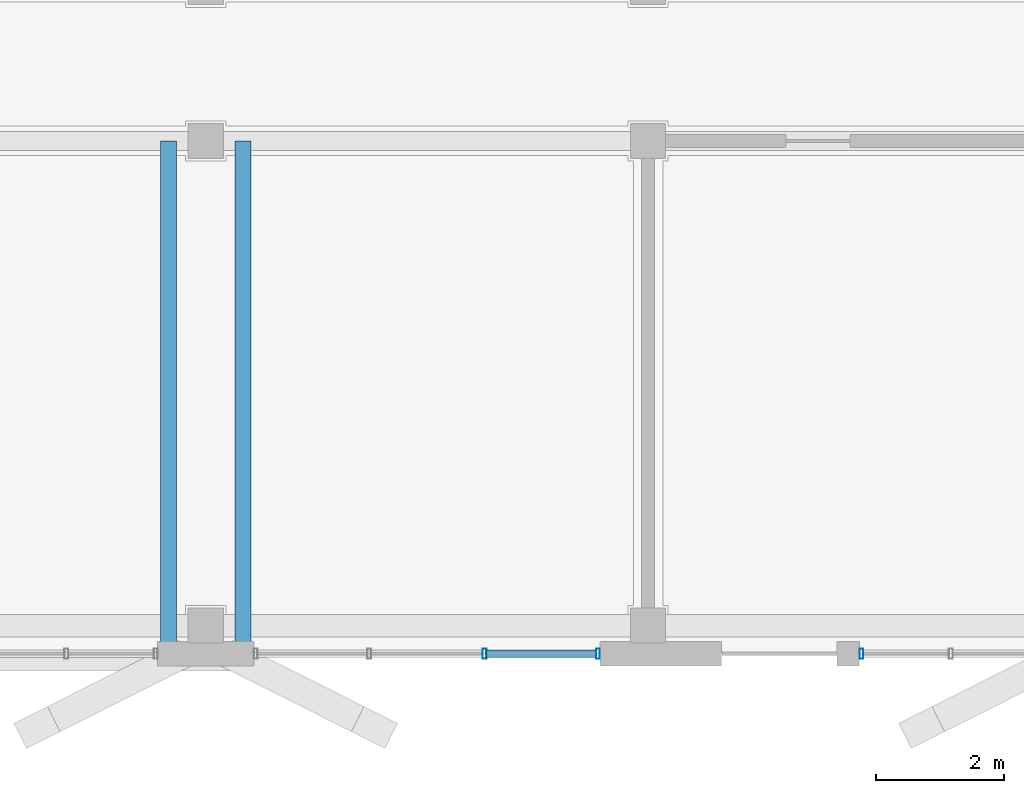
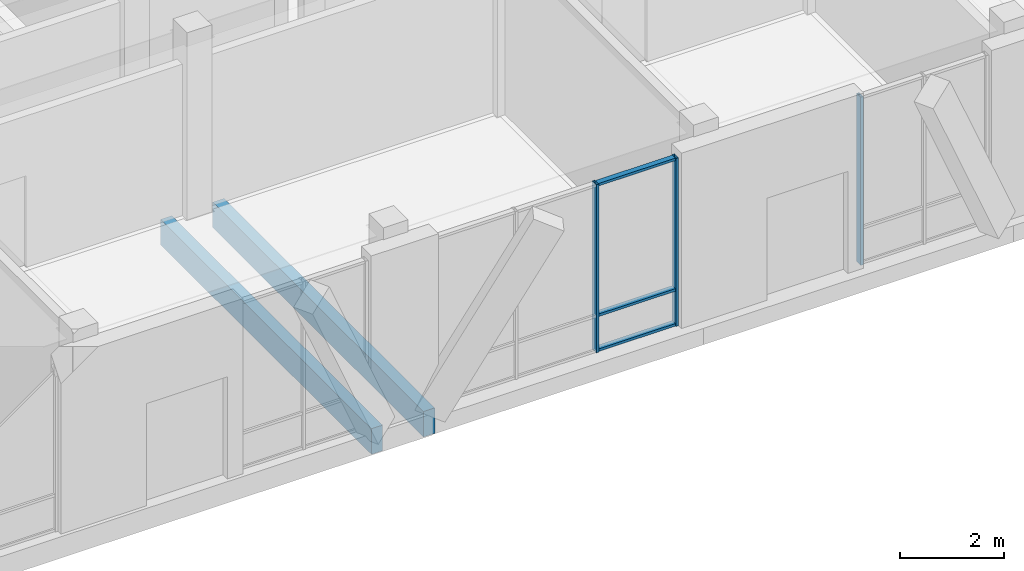
# One storey, part 139 of 233: 6 members, 2 beams, 2 elements without a shape of their own.
"""IFC4 building model written with IfcOpenShell, lengths in metres."""

import ifcopenshell
import ifcopenshell.guid

model = None  # the IFC model being written
_history = None  # IfcOwnerHistory: only IFC2X3 demands one
_inside = {}  # id of a spatial element -> (the spatial element, [elements in it])
_under = {}  # id of a project, library or spatial element -> (it, [spatial elements below it])
_declared = {}  # id of a project -> (the project, [libraries it declares])
_typed = {}  # id of a type object -> (the type object, [elements of that type])
_made_of = {}  # id of a material, layer set ... -> (it, [elements and type objects made of it])


def new_model(schema):
    """Start an empty IFC model of exactly this schema.

    Asked for "IFC4X3", IfcOpenShell would pick the latest addendum, in which some entities
    have other attributes; the version numbers below select the first issue.
    IFC2X3 requires an IfcOwnerHistory on every rooted entity: one is made here for all.
    """
    global model, _history
    if schema == "IFC4X3":
        model = ifcopenshell.file(schema_version=(4, 3, 0, 0))
    else:
        model = ifcopenshell.file(schema=schema)
    _inside.clear()
    _under.clear()
    _declared.clear()
    _typed.clear()
    _made_of.clear()
    _history = None
    if model.schema == "IFC2X3":
        org = make("IfcOrganization", Name="unknown")
        user = make(
            "IfcPersonAndOrganization",
            ThePerson=make("IfcPerson", FamilyName="unknown"),
            TheOrganization=org,
        )
        app = make(
            "IfcApplication",
            ApplicationDeveloper=org,
            Version="unknown",
            ApplicationFullName="unknown",
            ApplicationIdentifier="unknown",
        )
        _history = make(
            "IfcOwnerHistory",
            OwningUser=user,
            OwningApplication=app,
            ChangeAction="ADDED",
            CreationDate=0,
        )
    return model


def make(cls, **values):
    """One entity of the class cls with the attributes given. An attribute that is None is left unset."""
    return model.create_entity(
        cls, **{name: value for name, value in values.items() if value is not None}
    )


def rooted(cls, **values):
    """An entity with a GlobalId (a new one), such as an element, a storey or a relation."""
    return make(cls, GlobalId=ifcopenshell.guid.new(), OwnerHistory=_history, **values)


def si_unit(unit_type, name, prefix=None):
    """IfcSIUnit, for example si_unit("LENGTHUNIT", "METRE", prefix="MILLI")."""
    return make("IfcSIUnit", UnitType=unit_type, Prefix=prefix, Name=name)


def assignment(units):
    """IfcUnitAssignment: the units of a project."""
    return None if units is None else make("IfcUnitAssignment", Units=units)


def point(xyz):
    """IfcCartesianPoint."""
    return None if xyz is None else make("IfcCartesianPoint", Coordinates=xyz)


def direction(xyz):
    """IfcDirection."""
    return None if xyz is None else make("IfcDirection", DirectionRatios=xyz)


def frame(location, z_axis=None, x_axis=None):
    """IfcAxis2Placement3D, a coordinate frame: its origin and axes. An axis left out is left unset."""
    return make(
        "IfcAxis2Placement3D",
        Location=point(location),
        Axis=direction(z_axis),
        RefDirection=direction(x_axis),
    )


def frame_2d(location, x_axis=None):
    """IfcAxis2Placement2D, a coordinate frame in the plane: its origin and x axis."""
    return make(
        "IfcAxis2Placement2D", Location=point(location), RefDirection=direction(x_axis)
    )


def origin():
    """The frame at (0, 0, 0) with its axes left unset."""
    return frame((0.0, 0.0, 0.0))


def origin_2d():
    """The frame at (0, 0) in the plane with its x axis left unset."""
    return frame_2d((0.0, 0.0))


def place(relative_to, where):
    """IfcLocalPlacement: puts the frame where relative to a parent placement (None: the world)."""
    return make(
        "IfcLocalPlacement", PlacementRelTo=relative_to, RelativePlacement=where
    )


def context(
    kind, dimensions, precision=None, world=None, true_north=None, identifier=None
):
    """IfcGeometricRepresentationContext, for example the 3D "Model" context."""
    return make(
        "IfcGeometricRepresentationContext",
        ContextIdentifier=identifier,
        ContextType=kind,
        CoordinateSpaceDimension=dimensions,
        Precision=precision,
        WorldCoordinateSystem=world,
        TrueNorth=true_north,
    )


def subcontext(parent, identifier, kind, view, scale=None):
    """IfcGeometricRepresentationSubContext, for example "Body" below "Model"."""
    return make(
        "IfcGeometricRepresentationSubContext",
        ContextIdentifier=identifier,
        ContextType=kind,
        ParentContext=parent,
        TargetScale=scale,
        TargetView=view,
    )


def project(units=None, contexts=None):
    """IfcProject with its units and contexts."""
    return rooted(
        "IfcProject",
        Name="project",
        RepresentationContexts=contexts,
        UnitsInContext=assignment(units),
    )


def spatial(cls, under=None, at=None, **own):
    """A site, building, storey or space (cls), placed at a placement, below another one or the project."""
    s = rooted(cls, ObjectPlacement=at, **own)
    if under is not None:
        _under.setdefault(under.id(), (under, []))[1].append(s)
    return s


def profile(cls, at=None, kind="AREA", **sizes):
    """A parametric profile (cls). Its sizes go by their IFC names, for example OverallWidth=200.0."""
    return make(cls, ProfileType=kind, Position=at, **sizes)


def rectangle(**sizes):
    """IfcRectangleProfileDef."""
    return profile("IfcRectangleProfileDef", **sizes)


def hollow_rectangle(**sizes):
    """IfcRectangleHollowProfileDef."""
    return profile("IfcRectangleHollowProfileDef", **sizes)


def extrude(swept, where, along, depth):
    """IfcExtrudedAreaSolid: the profile swept, set in the frame where, extruded along a direction by depth."""
    return make(
        "IfcExtrudedAreaSolid",
        SweptArea=swept,
        Position=where,
        ExtrudedDirection=direction(along),
        Depth=depth,
    )


def shape(context_of_items, identifier, shape_type, items):
    """IfcShapeRepresentation: the items that make up one representation, for example the "Body"."""
    return make(
        "IfcShapeRepresentation",
        ContextOfItems=context_of_items,
        RepresentationIdentifier=identifier,
        RepresentationType=shape_type,
        Items=items,
    )


def material(Name=None, Category=None):
    """IfcMaterial."""
    return make("IfcMaterial", Name=Name, Category=Category)


def material_profile(
    of_material, cross_section, Name=None, Category=None, Priority=None
):
    """IfcMaterialProfile: a cross section and its material."""
    return make(
        "IfcMaterialProfile",
        Name=Name,
        Material=of_material,
        Profile=cross_section,
        Priority=Priority,
        Category=Category,
    )


def profile_set(profiles, Name=None, composite=None):
    """IfcMaterialProfileSet."""
    return make(
        "IfcMaterialProfileSet",
        Name=Name,
        MaterialProfiles=profiles,
        CompositeProfile=composite,
    )


def made_of(thing, what):
    """Note that an element or type object is made of a material, layer set ...; save() writes the relation."""
    if what is not None:
        _made_of.setdefault(what.id(), (what, []))[1].append(thing)
    return thing


def type_object(cls, material=None, **own):
    """A type object (cls), such as IfcWallType, which elements share."""
    return made_of(rooted(cls, **own), material)


def element(
    cls,
    number,
    at=None,
    inside=None,
    cuts=None,
    type_object=None,
    material=None,
    context=None,
    identifier="Body",
    shape_type=None,
    held_by="IfcProductDefinitionShape",
    body=None,
    shapes=None,
    **own,
):
    """One element of the class cls, such as IfcWall. Its Tag is "e" and its number.

    at: its placement. inside: the storey or other place that contains it. cuts: it is an
    opening in that element (IfcRelVoidsElement). A single representation is given by context,
    identifier, shape_type and body (its items); several are given by shapes. held_by: the class
    of the entity that holds the representations. save() writes the other relations.
    """
    e = rooted(cls, Tag="e%d" % number, ObjectPlacement=at, **own)
    if body is not None:
        shapes = [shape(context, identifier, shape_type, body)]
    if shapes is not None:
        e.Representation = make(held_by, Representations=shapes)
    if inside is not None:
        _inside.setdefault(inside.id(), (inside, []))[1].append(e)
    if cuts is not None:
        rooted(
            "IfcRelVoidsElement", RelatingBuildingElement=cuts, RelatedOpeningElement=e
        )
    if type_object is not None:
        _typed.setdefault(type_object.id(), (type_object, []))[1].append(e)
    return made_of(e, material)


def aggregate(whole, parts):
    """IfcRelAggregates: a whole, such as a stair, and the parts it consists of."""
    return rooted("IfcRelAggregates", RelatingObject=whole, RelatedObjects=parts)


def save(model, path):
    """Write the relations noted so far, then the file.

    IfcRelAggregates (storeys below a building ...), IfcRelContainedInSpatialStructure (elements
    in a storey), IfcRelDefinesByType, IfcRelAssociatesMaterial and IfcRelDeclares: one each for
    every whole, place, type object, material and project.
    """
    for whole, parts in _under.values():
        aggregate(whole, parts)
    for where, things in _inside.values():
        rooted(
            "IfcRelContainedInSpatialStructure",
            RelatedElements=things,
            RelatingStructure=where,
        )
    for kind, things in _typed.values():
        rooted("IfcRelDefinesByType", RelatedObjects=things, RelatingType=kind)
    for what, things in _made_of.values():
        rooted("IfcRelAssociatesMaterial", RelatedObjects=things, RelatingMaterial=what)
    for by, libraries in _declared.values():
        rooted("IfcRelDeclares", RelatingContext=by, RelatedDefinitions=libraries)
    model.write(path)


model = new_model("IFC4")

# Units and contexts
model_context = context("Model", 3, precision=1e-05, world=origin(), true_north=direction((0.0, 1.0)))
body_context = subcontext(model_context, "Body", "Model", "MODEL_VIEW")
ifc_project = project(units=[si_unit("LENGTHUNIT", "METRE"), si_unit("AREAUNIT", "SQUARE_METRE"), si_unit("VOLUMEUNIT", "CUBIC_METRE"), si_unit("PLANEANGLEUNIT", "RADIAN"), si_unit("MASSUNIT", "GRAM", prefix="KILO")], contexts=[model_context])

# Site, building, storey
site_placement = place(None, origin())
site = spatial("IfcSite", under=ifc_project, at=site_placement, CompositionType="ELEMENT")
building_placement = place(site_placement, origin())
building = spatial("IfcBuilding", under=site, at=building_placement, Name="Zavelmont Quarter", CompositionType="ELEMENT")
storey_placement = place(building_placement, origin())
storey = spatial("IfcBuildingStorey", under=building, at=storey_placement, Name="L00", CompositionType="ELEMENT", Elevation=0.0)

# Beams
ifc_material_1 = material(Name="Concrete C40/50", Category="concrete")
ifc_material_profile_1 = material_profile(ifc_material_1, rectangle(XDim=0.25, YDim=0.60009765625, at=origin_2d()), Name="RC250X600")
ifc_profile_set_1 = profile_set([ifc_material_profile_1], Name="Concrete C40/50")
beam_type = type_object("IfcBeamType", Name="BM18", PredefinedType="BEAM", material=ifc_profile_set_1)
for number, where, z_axis, x_axis, name in (
    (1, (146.719970703125, 8.0, -0.300048828125), (0.0, -1.0, 0.0), (1.0, 0.0, 0.0), "L00 beam BM18 22/B to 22/A"),
    (2, (147.8798828125, 8.0, -0.300048828125), (0.0, -1.0, 0.0), (1.0, 0.0, 0.0), "L00 beam BM18 22/B to 22/A"),
):
    element("IfcBeam", number, at=place(storey_placement, frame(where, z_axis=z_axis, x_axis=x_axis)), inside=storey, type_object=beam_type, Name=name, PredefinedType="BEAM", context=body_context, shape_type="SweptSolid", body=[
        extrude(rectangle(XDim=0.25, YDim=0.60009765625, at=origin_2d()), origin(), (0.0, 0.0, 1.0), 8.1201171875),
    ])

# Curtain wall, members
ifc_material_2 = material(Name="Thermally broken aluminium and double low-E safety glazing", Category="aluminium")
curtain_wall_type_1 = type_object("IfcCurtainWallType", Name="CW-540X395", PredefinedType="NOTDEFINED", material=ifc_material_2)
curtain_wall_1_placement = place(storey_placement, origin())
curtain_wall_1 = element("IfcCurtainWall", 3, at=curtain_wall_1_placement, inside=storey, type_object=curtain_wall_type_1, Name="L00 unitised curtain wall CW-540X395", PredefinedType="NOTDEFINED")
ifc_material_3 = material(Name="Powder-coated aluminium EN AW-6063-T6", Category="aluminium")
ifc_material_profile_2 = material_profile(ifc_material_3, hollow_rectangle(XDim=0.06005859375, YDim=0.159912109375, WallThickness=0.00390625, at=origin_2d()), Name="CWM60X160")
ifc_profile_set_2 = profile_set([ifc_material_profile_2], Name="Powder-coated aluminium EN AW-6063-T6")
member_type_1 = type_object("IfcMemberType", Name="CWM01", PredefinedType="MULLION", material=ifc_profile_set_2)
member_1_placement = place(storey_placement, frame((151.64990234375, 0.0, 0.0), z_axis=(0.0, 0.0, 1.0), x_axis=(1.0, 0.0, 0.0)))
member_1 = element("IfcMember", 4, at=member_1_placement, type_object=member_type_1, Name="CW-540X395 mullion 3", PredefinedType="MULLION", context=body_context, shape_type="SweptSolid", body=[
    extrude(hollow_rectangle(XDim=0.06005859375, YDim=0.159912109375, WallThickness=0.00390625, at=origin_2d()), origin(), (0.0, 0.0, 1.0), 3.949951171875),
])
member_2_placement = place(storey_placement, frame((153.419921875, 0.0, 0.0), z_axis=(0.0, 0.0, 1.0), x_axis=(1.0, 0.0, 0.0)))
member_2 = element("IfcMember", 5, at=member_2_placement, type_object=member_type_1, Name="CW-540X395 mullion 4", PredefinedType="MULLION", context=body_context, shape_type="SweptSolid", body=[
    extrude(hollow_rectangle(XDim=0.06005859375, YDim=0.159912109375, WallThickness=0.00390625, at=origin_2d()), origin(), (0.0, 0.0, 1.0), 3.949951171875),
])

# Curtain wall, member
curtain_wall_type_2 = type_object("IfcCurtainWallType", Name="CW-285X395", PredefinedType="NOTDEFINED", material=ifc_material_2)
curtain_wall_2_placement = place(storey_placement, origin())
curtain_wall_2 = element("IfcCurtainWall", 6, at=curtain_wall_2_placement, inside=storey, type_object=curtain_wall_type_2, Name="L00 unitised curtain wall CW-285X395", PredefinedType="NOTDEFINED")
member_3_placement = place(storey_placement, frame((157.530029296875, 0.0, 0.0), z_axis=(0.0, 0.0, 1.0), x_axis=(1.0, 0.0, 0.0)))
member_3 = element("IfcMember", 7, at=member_3_placement, type_object=member_type_1, Name="CW-285X395 mullion 1", PredefinedType="MULLION", context=body_context, shape_type="SweptSolid", body=[
    extrude(hollow_rectangle(XDim=0.06005859375, YDim=0.159912109375, WallThickness=0.00390625, at=origin_2d()), origin(), (0.0, 0.0, 1.0), 3.949951171875),
])
aggregate(curtain_wall_2, [member_3])

# Member
ifc_material_profile_3 = material_profile(ifc_material_3, hollow_rectangle(XDim=0.1201171875, YDim=0.06005859375, WallThickness=0.00390625, at=origin_2d()), Name="CWT60X120")
ifc_profile_set_3 = profile_set([ifc_material_profile_3], Name="Powder-coated aluminium EN AW-6063-T6")
member_type_2 = type_object("IfcMemberType", Name="CWT01", PredefinedType="NOTDEFINED", material=ifc_profile_set_3)
member_4_placement = place(storey_placement, frame((151.679931640625, 0.0, 0.030029296875), z_axis=(1.0, 0.0, 0.0), x_axis=(0.0, 1.0, 0.0)))
member_4 = element("IfcMember", 8, at=member_4_placement, type_object=member_type_2, Name="CW-540X395 transom 3.1", ObjectType="TRANSOM", PredefinedType="USERDEFINED", context=body_context, shape_type="SweptSolid", body=[
    extrude(hollow_rectangle(XDim=0.1201171875, YDim=0.06005859375, WallThickness=0.00390625, at=origin_2d()), origin(), (0.0, 0.0, 1.0), 1.7099609375),
])

member_5_placement = place(storey_placement, frame((151.679931640625, 0.0, 0.85009765625), z_axis=(1.0, 0.0, 0.0), x_axis=(0.0, 1.0, 0.0)))
member_5 = element("IfcMember", 9, at=member_5_placement, type_object=member_type_2, Name="CW-540X395 transom 3.2", ObjectType="TRANSOM", PredefinedType="USERDEFINED", context=body_context, shape_type="SweptSolid", body=[
    extrude(hollow_rectangle(XDim=0.1201171875, YDim=0.06005859375, WallThickness=0.00390625, at=origin_2d()), origin(), (0.0, 0.0, 1.0), 1.7099609375),
])

member_6_placement = place(storey_placement, frame((151.679931640625, 0.0, 3.919921875), z_axis=(1.0, 0.0, 0.0), x_axis=(0.0, 1.0, 0.0)))
member_6 = element("IfcMember", 10, at=member_6_placement, type_object=member_type_2, Name="CW-540X395 transom 3.3", ObjectType="TRANSOM", PredefinedType="USERDEFINED", context=body_context, shape_type="SweptSolid", body=[
    extrude(hollow_rectangle(XDim=0.1201171875, YDim=0.06005859375, WallThickness=0.00390625, at=origin_2d()), origin(), (0.0, 0.0, 1.0), 1.7099609375),
])

aggregate(curtain_wall_1, [member_1, member_2, member_4, member_5, member_6])

save(model, "model.ifc")
